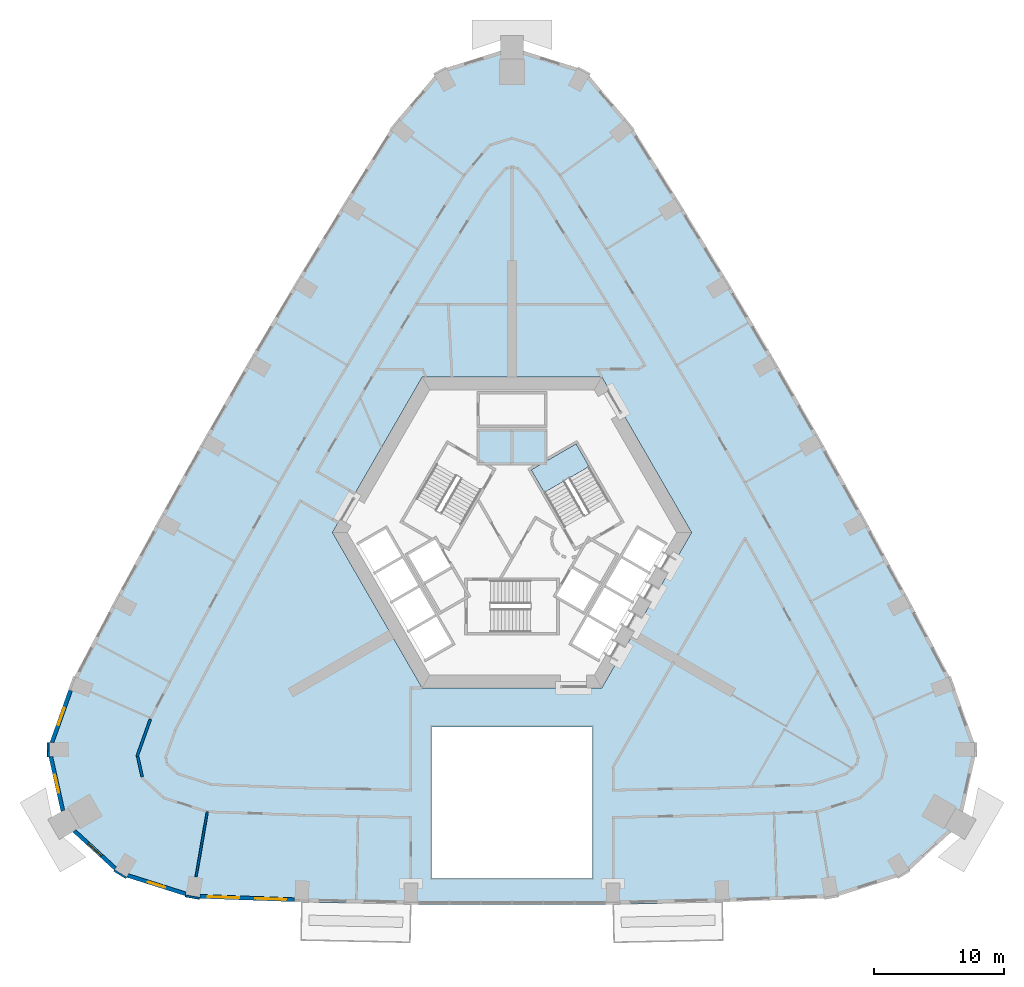
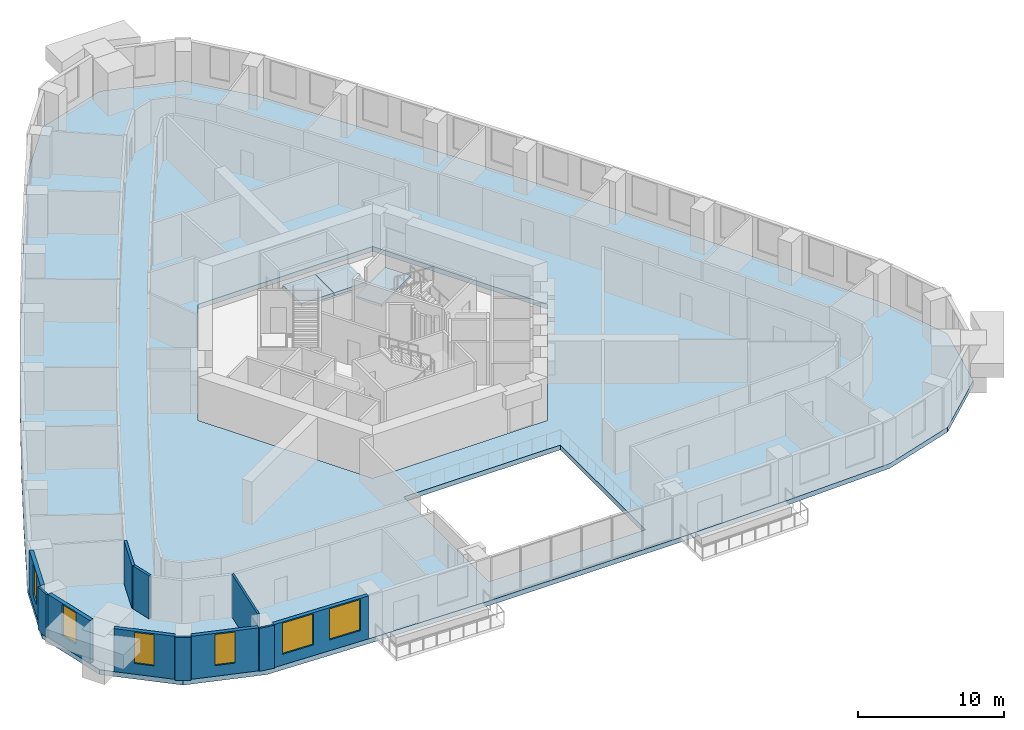
# One storey, part 3 of 14: 11 walls, 6 windows, 4 slabs, 6 openings, 1 element without a shape of its own.
"""IFC4 building model written with IfcOpenShell, lengths in metres."""

from ifc_helpers import new_model, si_unit, direction, frame, frame_2d, origin, place, context, subcontext, project, spatial, polyline, rectangle, outline, extrude, material, layer, layer_set, type_object, element, fill, aggregate, save


model = new_model("IFC4")

# Units and contexts
model_context = context("Model", 3, precision=1e-05, world=origin(), true_north=direction((0.0, 1.0)))
body_context = subcontext(model_context, "Body", "Model", "MODEL_VIEW")
ifc_project = project(units=[si_unit("LENGTHUNIT", "METRE"), si_unit("AREAUNIT", "SQUARE_METRE"), si_unit("VOLUMEUNIT", "CUBIC_METRE"), si_unit("PLANEANGLEUNIT", "RADIAN"), si_unit("MASSUNIT", "GRAM", prefix="KILO")], contexts=[model_context])

# Site, building, storey
site_placement = place(None, origin())
site = spatial("IfcSite", under=ifc_project, at=site_placement, CompositionType="ELEMENT")
building_placement = place(site_placement, origin())
building = spatial("IfcBuilding", under=site, at=building_placement, Name="Entoto Arch Interchange Tower", CompositionType="ELEMENT")
storey_placement = place(building_placement, frame((0.0, 0.0, 180.199951171875)))
storey = spatial("IfcBuildingStorey", under=building, at=storey_placement, Name="L40", CompositionType="ELEMENT", Elevation=180.199951171875)

# Stair, slab
ifc_material_1 = material(Name="Concrete C40/50", Category="concrete")
stair_type = type_object("IfcStairType", Name="EXIT STAIR RC 1800", PredefinedType="HALF_TURN_STAIR", material=ifc_material_1)
stair_placement = place(storey_placement, origin())
stair = element("IfcStair", 1, at=stair_placement, inside=storey, type_object=stair_type, Name="L40 Exit stair NE", PredefinedType="HALF_TURN_STAIR")
ifc_layer_1 = layer(ifc_material_1, 0.199951171875)
ifc_layer_set_1 = layer_set([ifc_layer_1], Name="Concrete C40/50")
slab_type_1 = type_object("IfcSlabType", Name="EXIT STAIR LANDING RC 200", PredefinedType="LANDING", material=ifc_layer_set_1)
slab_1_placement = place(storey_placement, frame((0.0, 0.0, 1.900146484375)))
slab_1 = element("IfcSlab", 2, at=slab_1_placement, type_object=slab_type_1, Name="ST-NE landing 1", PredefinedType="LANDING", context=body_context, shape_type="SweptSolid", body=[
    extrude(outline(polyline([(5.953369140625, 7.58837890625), (4.943359375, 9.337890625), (1.479248046875, 7.337890625), (2.4892578125, 5.58837890625), (5.953369140625, 7.58837890625)])), origin(), (0.0, 0.0, 1.0), 0.199951171875),
])
aggregate(stair, [slab_1])

# Slabs
ifc_layer_2 = layer(ifc_material_1, 0.300048828125)
ifc_layer_set_2 = layer_set([ifc_layer_2], Name="Concrete C40/50")
slab_type_2 = type_object("IfcSlabType", Name="LIFT PIT SLAB 300", PredefinedType="BASESLAB", material=ifc_layer_set_2)
slab_2_placement = place(storey_placement, frame((0.0, 0.0, 2.300048828125)))
element("IfcSlab", 3, at=slab_2_placement, inside=storey, type_object=slab_type_2, Name="Lift pit slab HR1", PredefinedType="BASESLAB", context=body_context, shape_type="SweptSolid", body=[
    extrude(outline(polyline([(2.590087890625, 7.81005859375), (0.010009765625, 7.81005859375), (0.010009765625, 10.389892578125), (2.590087890625, 10.389892578125), (2.590087890625, 7.81005859375)])), origin(), (0.0, 0.0, 1.0), 0.300048828125),
])
slab_3_placement = place(storey_placement, frame((0.0, 0.0, 2.300048828125)))
element("IfcSlab", 4, at=slab_3_placement, inside=storey, type_object=slab_type_2, Name="Lift pit slab HR2", PredefinedType="BASESLAB", context=body_context, shape_type="SweptSolid", body=[
    extrude(outline(polyline([(-0.010009765625, 7.81005859375), (-2.590087890625, 7.81005859375), (-2.590087890625, 10.389892578125), (-0.010009765625, 10.389892578125), (-0.010009765625, 7.81005859375)])), origin(), (0.0, 0.0, 1.0), 0.300048828125),
])
ifc_layer_3 = layer(ifc_material_1, 0.39990234375)
ifc_layer_set_3 = layer_set([ifc_layer_3], Name="Concrete C40/50")
slab_type_3 = type_object("IfcSlabType", Name="Post-tensioned flat plate 400 C40/50", PredefinedType="FLOOR", material=ifc_layer_set_3)
slab_4_placement = place(storey_placement, frame((0.0, 0.0, -0.39990234375)))
element("IfcSlab", 5, at=slab_4_placement, inside=storey, type_object=slab_type_3, Name="Floor slab L40", PredefinedType="FLOOR", context=body_context, shape_type="SweptSolid", body=[
    extrude(outline(polyline([(-24.6689453125, -25.7119140625), (-16.23388671875, -26.012939453125), (-7.800048828125, -26.18896484375), (7.800048828125, -26.18896484375), (16.23388671875, -26.012939453125), (24.6689453125, -25.7119140625), (30.281005859375, -23.930908203125), (34.59912109375, -19.97509765625), (35.864990234375, -14.258056640625), (34.027099609375, -9.116943359375), (30.64111328125, -2.715087890625), (27.257080078125, 3.492919921875), (23.798095703125, 9.658935546875), (20.263916015625, 15.781005859375), (16.654052734375, 21.85888671875), (12.968994140625, 27.89306640625), (9.117919921875, 34.027099609375), (5.5849609375, 38.18896484375), (0.0, 39.950927734375), (-5.5849609375, 38.18896484375), (-9.117919921875, 34.027099609375), (-12.968994140625, 27.89306640625), (-16.654052734375, 21.85888671875), (-20.263916015625, 15.781005859375), (-23.798095703125, 9.658935546875), (-27.257080078125, 3.492919921875), (-30.64111328125, -2.715087890625), (-34.027099609375, -9.116943359375), (-35.864990234375, -14.258056640625), (-34.59912109375, -19.97509765625), (-30.281005859375, -23.930908203125), (-24.6689453125, -25.7119140625)]), holes=[polyline([(6.199951171875, -24.18896484375), (6.199951171875, -12.5), (-6.199951171875, -12.5), (-6.199951171875, -24.18896484375), (6.199951171875, -24.18896484375)]), polyline([(13.85595703125, 2.5), (6.927978515625, 14.5), (-6.927978515625, 14.5), (-13.85595703125, 2.5), (-6.927978515625, -9.5), (6.927978515625, -9.5), (13.85595703125, 2.5)])]), origin(), (0.0, 0.0, 1.0), 0.39990234375),
])

# Walls
ifc_material_2 = material(Name="Gypsum board partition on steel studs", Category="steel")
ifc_layer_4 = layer(ifc_material_2, 0.14990234375)
ifc_layer_set_4 = layer_set([ifc_layer_4], Name="Gypsum board partition on steel studs")
wall_type_1 = type_object("IfcWallType", Name="PARTITION 150", PredefinedType="PARTITIONING", material=ifc_layer_set_4)
wall_1_placement = place(storey_placement, frame((-23.514892578125, -19.049072265625, 0.0), z_axis=(0.0, 0.0, 1.0), x_axis=(-0.170669435204, -0.985328343187, 0.0)))
element("IfcWall", 6, at=wall_1_placement, inside=storey, type_object=wall_type_1, Name="wall:L40:p127", PredefinedType="PARTITIONING", context=body_context, shape_type="SweptSolid", body=[
    extrude(rectangle(XDim=5.092529296875, YDim=0.14990234375, at=frame_2d((2.54638671875, 0.0))), origin(), (0.0, 0.0, 1.0), 3.60009765625),
])
ifc_layer_5 = layer(ifc_material_2, 0.199951171875)
ifc_layer_set_5 = layer_set([ifc_layer_5], Name="Gypsum board partition on steel studs")
wall_type_2 = type_object("IfcWallType", Name="PARTITION 200", PredefinedType="PARTITIONING", material=ifc_layer_set_5)
wall_2_placement = place(storey_placement, frame((-28.535888671875, -16.364990234375, 0.0), z_axis=(0.0, 0.0, 1.0), x_axis=(-0.216223984898, 0.976343785946, 0.0)))
element("IfcWall", 7, at=wall_2_placement, inside=storey, type_object=wall_type_2, Name="wall:L40:p073", PredefinedType="PARTITIONING", context=body_context, shape_type="SweptSolid", body=[
    extrude(rectangle(XDim=1.610107421875, YDim=0.199951171875, at=frame_2d((0.80517578125, 0.0))), origin(), (0.0, 0.0, 1.0), 3.60009765625),
])
wall_3_placement = place(storey_placement, frame((-28.93994140625, -14.7890625, 0.0), z_axis=(0.0, 0.0, 1.0), x_axis=(0.336864004528, 0.941553313654, 0.0)))
element("IfcWall", 8, at=wall_3_placement, inside=storey, type_object=wall_type_2, Name="wall:L40:p074", PredefinedType="PARTITIONING", context=body_context, shape_type="SweptSolid", body=[
    extrude(rectangle(XDim=3.04833984375, YDim=0.199951171875, at=frame_2d((1.524169921875, 0.0))), origin(), (0.0, 0.0, 1.0), 3.60009765625),
])

# Wall, openings, windows
ifc_material_3 = material(Name="Welded tuff (ignimbrite) cladding, warm buff", Category="masonry")
ifc_layer_6 = layer(ifc_material_3, 0.300048828125)
ifc_layer_set_6 = layer_set([ifc_layer_6], Name="Welded tuff (ignimbrite) cladding, warm buff")
wall_type_3 = type_object("IfcWallType", Name="STONE INFILL WALL 300", PredefinedType="STANDARD", material=ifc_layer_set_6)
wall_4_placement = place(storey_placement, frame((-24.090087890625, -25.5830078125, 0.0), z_axis=(0.0, 0.0, 1.0), x_axis=(0.999368368263, -0.035536805082, 0.0)))
wall_4 = element("IfcWall", 9, at=wall_4_placement, inside=storey, type_object=wall_type_3, Name="Facade wall S-01 L40", PredefinedType="STANDARD", context=body_context, shape_type="SweptSolid", body=[
    extrude(rectangle(XDim=7.316650390625, YDim=0.300048828125, at=frame_2d((3.658203125, 0.0))), origin(), (0.0, 0.0, 1.0), 3.60009765625),
])
opening_1_placement = place(wall_4_placement, frame((0.62890625, 0.0, 0.89990234375)))
opening_1 = element("IfcOpeningElement", 10, at=opening_1_placement, cuts=wall_4, Name="Opening WO-A", PredefinedType="OPENING", context=body_context, shape_type="SweptSolid", body=[
    extrude(rectangle(XDim=2.39990234375, YDim=2.60009765625, at=frame_2d((1.199951171875, 1.300048828125))), frame((0.0, 0.16015625, 0.0), z_axis=(0.0, -1.0, 0.0), x_axis=(1.0, 0.0, 0.0)), (0.0, 0.0, 1.0), 0.320068359375),
])
opening_2_placement = place(wall_4_placement, frame((4.287109375, 0.0, 0.89990234375)))
opening_2 = element("IfcOpeningElement", 11, at=opening_2_placement, cuts=wall_4, Name="Opening WO-A", PredefinedType="OPENING", context=body_context, shape_type="SweptSolid", body=[
    extrude(rectangle(XDim=2.39990234375, YDim=2.60009765625, at=frame_2d((1.199951171875, 1.300048828125))), frame((0.0, 0.16015625, 0.0), z_axis=(0.0, -1.0, 0.0), x_axis=(1.0, 0.0, 0.0)), (0.0, 0.0, 1.0), 0.320068359375),
])
ifc_material_4 = material(Name="Clear glass, low-e double glazed", Category="glass")
window_type_1 = type_object("IfcWindowType", Name="WINDOW WO-A 2400x2600", PartitioningType="DOUBLE_PANEL_VERTICAL", PredefinedType="WINDOW", material=ifc_material_4)
window_1_placement = place(opening_1_placement, origin())
window_1 = element("IfcWindow", 12, at=window_1_placement, inside=storey, type_object=window_type_1, Name="Window WO-A S-01 L40", OverallHeight=2.60009765625, OverallWidth=2.39990234375, PartitioningType="SINGLE_PANEL", PredefinedType="WINDOW", context=body_context, shape_type="SweptSolid", body=[
    extrude(rectangle(XDim=2.39990234375, YDim=2.60009765625, at=frame_2d((1.199951171875, 1.300048828125))), frame((0.0, 0.030029296875, 0.0), z_axis=(0.0, -1.0, 0.0), x_axis=(1.0, 0.0, 0.0)), (0.0, 0.0, 1.0), 0.06005859375),
])
fill(opening_1, window_1)
window_2_placement = place(opening_2_placement, origin())
window_2 = element("IfcWindow", 13, at=window_2_placement, inside=storey, type_object=window_type_1, Name="Window WO-A S-01 L40", OverallHeight=2.60009765625, OverallWidth=2.39990234375, PartitioningType="SINGLE_PANEL", PredefinedType="WINDOW", context=body_context, shape_type="SweptSolid", body=[
    extrude(rectangle(XDim=2.39990234375, YDim=2.60009765625, at=frame_2d((1.199951171875, 1.300048828125))), frame((0.0, 0.030029296875, 0.0), z_axis=(0.0, -1.0, 0.0), x_axis=(1.0, 0.0, 0.0)), (0.0, 0.0, 1.0), 0.06005859375),
])
fill(opening_2, window_2)

# Wall, opening, window
wall_5_placement = place(storey_placement, frame((-34.071044921875, -9.68603515625, 0.0), z_axis=(0.0, 0.0, 1.0), x_axis=(-0.336652028742, -0.941629126325, 0.0)))
wall_5 = element("IfcWall", 14, at=wall_5_placement, inside=storey, type_object=wall_type_3, Name="Facade wall SW-01 L40", PredefinedType="STANDARD", context=body_context, shape_type="SweptSolid", body=[
    extrude(rectangle(XDim=4.2626953125, YDim=0.300048828125, at=frame_2d((2.13134765625, 0.0))), origin(), (0.0, 0.0, 1.0), 3.60009765625),
])
opening_3_placement = place(wall_5_placement, frame((1.430908203125, 0.0, 0.89990234375)))
opening_3 = element("IfcOpeningElement", 15, at=opening_3_placement, cuts=wall_5, Name="Opening WO-B", PredefinedType="OPENING", context=body_context, shape_type="SweptSolid", body=[
    extrude(rectangle(XDim=1.39990234375, YDim=2.60009765625, at=frame_2d((0.699951171875, 1.300048828125))), frame((0.0, 0.16015625, 0.0), z_axis=(0.0, -1.0, 0.0), x_axis=(1.0, 0.0, 0.0)), (0.0, 0.0, 1.0), 0.320068359375),
])
window_type_2 = type_object("IfcWindowType", Name="WINDOW WO-B 1400x2600", PartitioningType="DOUBLE_PANEL_VERTICAL", PredefinedType="WINDOW", material=ifc_material_4)
window_3_placement = place(opening_3_placement, origin())
window_3 = element("IfcWindow", 16, at=window_3_placement, inside=storey, type_object=window_type_2, Name="Window WO-B SW-01 L40", OverallHeight=2.60009765625, OverallWidth=1.39990234375, PartitioningType="SINGLE_PANEL", PredefinedType="WINDOW", context=body_context, shape_type="SweptSolid", body=[
    extrude(rectangle(XDim=1.39990234375, YDim=2.60009765625, at=frame_2d((0.699951171875, 1.300048828125))), frame((0.0, 0.030029296875, 0.0), z_axis=(0.0, -1.0, 0.0), x_axis=(1.0, 0.0, 0.0)), (0.0, 0.0, 1.0), 0.06005859375),
])
fill(opening_3, window_3)

wall_6_placement = place(storey_placement, frame((-35.591064453125, -14.801025390625, 0.0), z_axis=(0.0, 0.0, 1.0), x_axis=(0.216102175589, -0.976370754225, 0.0)))
wall_6 = element("IfcWall", 17, at=wall_6_placement, inside=storey, type_object=wall_type_3, Name="Facade wall SW-02 L40", PredefinedType="STANDARD", context=body_context, shape_type="SweptSolid", body=[
    extrude(rectangle(XDim=4.276123046875, YDim=0.300048828125, at=frame_2d((2.13818359375, 0.0))), origin(), (0.0, 0.0, 1.0), 3.60009765625),
])
opening_4_placement = place(wall_6_placement, frame((1.43798828125, 0.0, 0.89990234375)))
opening_4 = element("IfcOpeningElement", 18, at=opening_4_placement, cuts=wall_6, Name="Opening WO-B", PredefinedType="OPENING", context=body_context, shape_type="SweptSolid", body=[
    extrude(rectangle(XDim=1.39990234375, YDim=2.60009765625, at=frame_2d((0.699951171875, 1.300048828125))), frame((0.0, 0.16015625, 0.0), z_axis=(0.0, -1.0, 0.0), x_axis=(1.0, 0.0, 0.0)), (0.0, 0.0, 1.0), 0.320068359375),
])
window_4_placement = place(opening_4_placement, origin())
window_4 = element("IfcWindow", 19, at=window_4_placement, inside=storey, type_object=window_type_2, Name="Window WO-B SW-02 L40", OverallHeight=2.60009765625, OverallWidth=1.39990234375, PartitioningType="SINGLE_PANEL", PredefinedType="WINDOW", context=body_context, shape_type="SweptSolid", body=[
    extrude(rectangle(XDim=1.39990234375, YDim=2.60009765625, at=frame_2d((0.699951171875, 1.300048828125))), frame((0.0, 0.030029296875, 0.0), z_axis=(0.0, -1.0, 0.0), x_axis=(1.0, 0.0, 0.0)), (0.0, 0.0, 1.0), 0.06005859375),
])
fill(opening_4, window_4)

wall_7_placement = place(storey_placement, frame((-33.76806640625, -20.532958984375, 0.0), z_axis=(0.0, 0.0, 1.0), x_axis=(0.737279680174, -0.675587650274, 0.0)))
wall_7 = element("IfcWall", 20, at=wall_7_placement, inside=storey, type_object=wall_type_3, Name="Facade wall SW-03 L40", PredefinedType="STANDARD", context=body_context, shape_type="SweptSolid", body=[
    extrude(rectangle(XDim=4.278076171875, YDim=0.300048828125, at=frame_2d((2.13916015625, 0.0))), origin(), (0.0, 0.0, 1.0), 3.60009765625),
])
opening_5_placement = place(wall_7_placement, frame((1.43896484375, 0.0, 0.89990234375)))
opening_5 = element("IfcOpeningElement", 21, at=opening_5_placement, cuts=wall_7, Name="Opening WO-B", PredefinedType="OPENING", context=body_context, shape_type="SweptSolid", body=[
    extrude(rectangle(XDim=1.39990234375, YDim=2.60009765625, at=frame_2d((0.699951171875, 1.300048828125))), frame((0.0, 0.16015625, 0.0), z_axis=(0.0, -1.0, 0.0), x_axis=(1.0, 0.0, 0.0)), (0.0, 0.0, 1.0), 0.320068359375),
])
window_5_placement = place(opening_5_placement, origin())
window_5 = element("IfcWindow", 22, at=window_5_placement, inside=storey, type_object=window_type_2, Name="Window WO-B SW-03 L40", OverallHeight=2.60009765625, OverallWidth=1.39990234375, PartitioningType="SINGLE_PANEL", PredefinedType="WINDOW", context=body_context, shape_type="SweptSolid", body=[
    extrude(rectangle(XDim=1.39990234375, YDim=2.60009765625, at=frame_2d((0.699951171875, 1.300048828125))), frame((0.0, 0.030029296875, 0.0), z_axis=(0.0, -1.0, 0.0), x_axis=(1.0, 0.0, 0.0)), (0.0, 0.0, 1.0), 0.06005859375),
])
fill(opening_5, window_5)

wall_8_placement = place(storey_placement, frame((-29.662109375, -23.969970703125, 0.0), z_axis=(0.0, 0.0, 1.0), x_axis=(0.953145379857, -0.302512619337, 0.0)))
wall_8 = element("IfcWall", 23, at=wall_8_placement, inside=storey, type_object=wall_type_3, Name="Facade wall SW-04 L40", PredefinedType="STANDARD", context=body_context, shape_type="SweptSolid", body=[
    extrude(rectangle(XDim=4.710693359375, YDim=0.300048828125, at=frame_2d((2.35546875, 0.0))), origin(), (0.0, 0.0, 1.0), 3.60009765625),
])
opening_6_placement = place(wall_8_placement, frame((1.655029296875, 0.0, 0.89990234375)))
opening_6 = element("IfcOpeningElement", 24, at=opening_6_placement, cuts=wall_8, Name="Opening WO-B", PredefinedType="OPENING", context=body_context, shape_type="SweptSolid", body=[
    extrude(rectangle(XDim=1.39990234375, YDim=2.60009765625, at=frame_2d((0.699951171875, 1.300048828125))), frame((0.0, 0.16015625, 0.0), z_axis=(0.0, -1.0, 0.0), x_axis=(1.0, 0.0, 0.0)), (0.0, 0.0, 1.0), 0.320068359375),
])
window_6_placement = place(opening_6_placement, origin())
window_6 = element("IfcWindow", 25, at=window_6_placement, inside=storey, type_object=window_type_2, Name="Window WO-B SW-04 L40", OverallHeight=2.60009765625, OverallWidth=1.39990234375, PartitioningType="SINGLE_PANEL", PredefinedType="WINDOW", context=body_context, shape_type="SweptSolid", body=[
    extrude(rectangle(XDim=1.39990234375, YDim=2.60009765625, at=frame_2d((0.699951171875, 1.300048828125))), frame((0.0, 0.030029296875, 0.0), z_axis=(0.0, -1.0, 0.0), x_axis=(1.0, 0.0, 0.0)), (0.0, 0.0, 1.0), 0.06005859375),
])
fill(opening_6, window_6)

# Walls
ifc_layer_7 = layer(ifc_material_3, 0.14990234375)
ifc_layer_set_7 = layer_set([ifc_layer_7], Name="Welded tuff (ignimbrite) cladding, warm buff")
wall_type_4 = type_object("IfcWallType", Name="STONE PIER CLADDING 150", PredefinedType="STANDARD", material=ifc_layer_set_7)
wall_9_placement = place(storey_placement, frame((-25.198974609375, -25.5458984375, 0.0), z_axis=(0.0, 0.0, 1.0), x_axis=(0.985763338892, -0.168138751323, 0.0)))
element("IfcWall", 26, at=wall_9_placement, inside=storey, type_object=wall_type_4, Name="Stone pier S01 L40", PredefinedType="STANDARD", context=body_context, shape_type="SweptSolid", body=[
    extrude(rectangle(XDim=1.1005859375, YDim=0.14990234375, at=frame_2d((0.55029296875, 0.0))), origin(), (0.0, 0.0, 1.0), 3.60009765625),
])
wall_10_placement = place(storey_placement, frame((-35.802978515625, -13.7060546875, 0.0), z_axis=(0.0, 0.0, 1.0), x_axis=(0.023522901136, -0.999723298279, 0.0)))
element("IfcWall", 27, at=wall_10_placement, inside=storey, type_object=wall_type_4, Name="Stone pier SW1 L40", PredefinedType="STANDARD", context=body_context, shape_type="SweptSolid", body=[
    extrude(rectangle(XDim=1.10009765625, YDim=0.14990234375, at=frame_2d((0.550048828125, 0.0))), origin(), (0.0, 0.0, 1.0), 3.60009765625),
])
wall_11_placement = place(storey_placement, frame((-30.7109375, -23.5810546875, 0.0), z_axis=(0.0, 0.0, 1.0), x_axis=(0.854005542721, -0.520263907071, 0.0)))
element("IfcWall", 28, at=wall_11_placement, inside=storey, type_object=wall_type_4, Name="Stone pier SW3 L40", PredefinedType="STANDARD", context=body_context, shape_type="SweptSolid", body=[
    extrude(rectangle(XDim=1.099365234375, YDim=0.14990234375, at=frame_2d((0.5498046875, 0.0))), origin(), (0.0, 0.0, 1.0), 3.60009765625),
])

save(model, "model.ifc")
